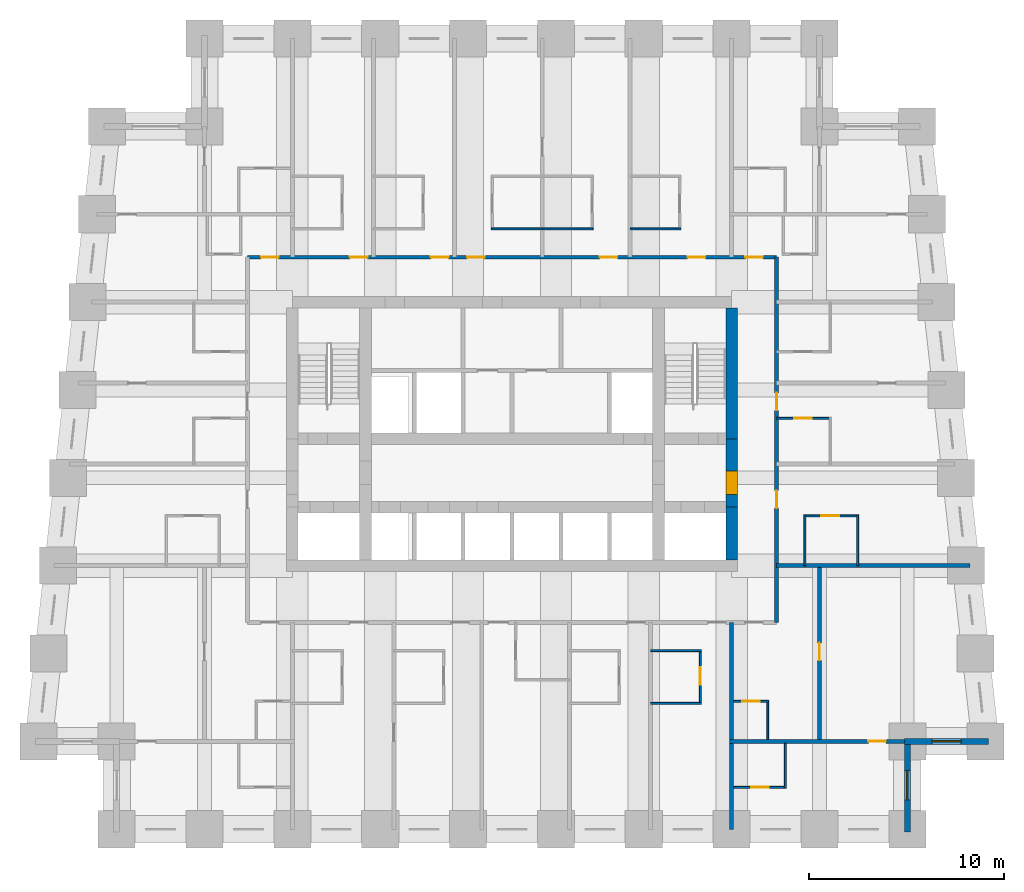
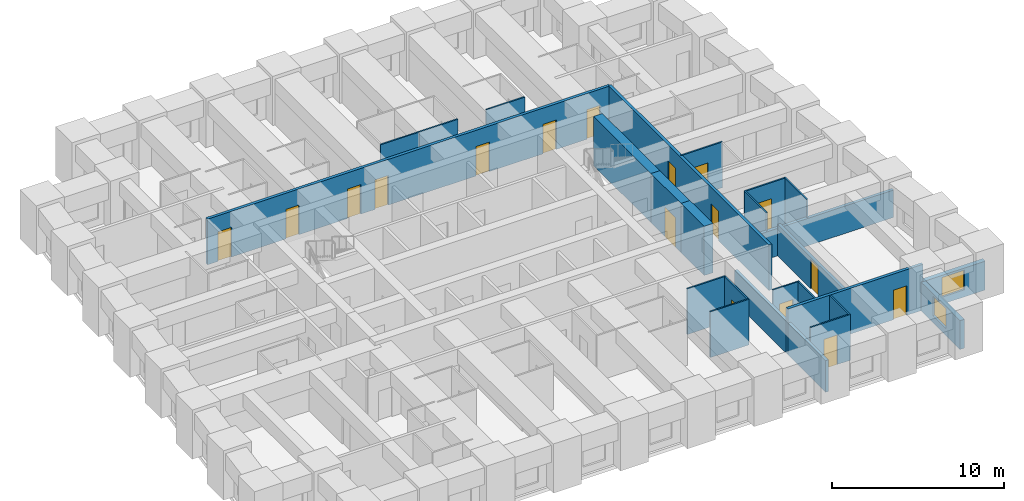
# One storey, part 5 of 8: 25 walls, 17 doors, 2 windows, 19 openings.
"""IFC4 building model written with IfcOpenShell, lengths in metres."""

from ifc_helpers import new_model, si_unit, direction, frame, frame_2d, origin, place, context, subcontext, project, spatial, rectangle, extrude, material, layer, layer_set, type_object, element, fill, save


model = new_model("IFC4")

# Units and contexts
model_context = context("Model", 3, precision=1e-05, world=origin(), true_north=direction((0.0, 1.0)))
body_context = subcontext(model_context, "Body", "Model", "MODEL_VIEW")
ifc_project = project(units=[si_unit("LENGTHUNIT", "METRE"), si_unit("AREAUNIT", "SQUARE_METRE"), si_unit("VOLUMEUNIT", "CUBIC_METRE"), si_unit("PLANEANGLEUNIT", "RADIAN"), si_unit("MASSUNIT", "GRAM", prefix="KILO")], contexts=[model_context])

# Site, building, storey
site_placement = place(None, origin())
site = spatial("IfcSite", under=ifc_project, at=site_placement, CompositionType="ELEMENT")
building_placement = place(site_placement, origin())
building = spatial("IfcBuilding", under=site, at=building_placement, Name="Kilele Tower Hotel", CompositionType="ELEMENT")
storey_placement = place(building_placement, frame((0.0, 0.0, 40.199951171875)))
storey = spatial("IfcBuildingStorey", under=building, at=storey_placement, Name="L08", CompositionType="ELEMENT", Elevation=40.199951171875)

# Walls
ifc_material_1 = material(Name="Moisture-resistant board")
ifc_layer_1 = layer(ifc_material_1, 0.10009765625)
ifc_layer_set_1 = layer_set([ifc_layer_1], Name="Moisture-resistant board")
wall_type_1 = type_object("IfcWallType", Name="Bathroom partition 100", PredefinedType="PLUMBINGWALL", material=ifc_layer_set_1)
for number, where, z_axis, x_axis, name in (
    (1, (31.85009765625, 9.14990234375, 0.0), (0.0, 0.0, 1.0), (1.0, 0.0, 0.0), "Bathroom partition 100 L08"),
    (2, (31.85009765625, 6.449951171875, 0.0), (0.0, 0.0, 1.0), (1.0, 0.0, 0.0), "Bathroom partition 100 L08"),
):
    element("IfcWall", number, at=place(storey_placement, frame(where, z_axis=z_axis, x_axis=x_axis)), inside=storey, type_object=wall_type_1, Name=name, PredefinedType="PLUMBINGWALL", context=body_context, shape_type="SweptSolid", body=[
        extrude(rectangle(XDim=2.599853515625, YDim=0.10009765625, at=frame_2d((1.2998046875, 0.0))), origin(), (0.0, 0.0, 1.0), 3.25),
    ])

# Wall, opening, door
wall_1_placement = place(storey_placement, frame((34.39990234375, 9.199951171875, 0.0), z_axis=(0.0, 0.0, 1.0), x_axis=(0.0, -1.0, 0.0)))
wall_1 = element("IfcWall", 3, at=wall_1_placement, inside=storey, type_object=wall_type_1, Name="Bathroom partition 100 L08", PredefinedType="PLUMBINGWALL", context=body_context, shape_type="SweptSolid", body=[
    extrude(rectangle(XDim=2.800048828125, YDim=0.10009765625, at=frame_2d((1.39990234375, 0.0))), origin(), (0.0, 0.0, 1.0), 3.25),
])
opening_1_placement = place(wall_1_placement, frame((0.89990234375, 0.0, 0.0)))
opening_1 = element("IfcOpeningElement", 4, at=opening_1_placement, cuts=wall_1, Name="Opening D2A", PredefinedType="OPENING", context=body_context, shape_type="SweptSolid", body=[
    extrude(rectangle(XDim=0.89990234375, YDim=2.10009765625, at=frame_2d((0.449951171875, 1.050048828125))), frame((0.0, 0.06005859375, 0.0), z_axis=(0.0, -1.0, 0.0), x_axis=(1.0, 0.0, 0.0)), (0.0, 0.0, 1.0), 0.1201171875),
])
ifc_material_2 = material(Name="Timber door leaf in hardwood frame", Category="wood")
door_type_1 = type_object("IfcDoorType", Name="Bathroom door 900", OperationType="SINGLE_SWING_LEFT", PredefinedType="DOOR", material=ifc_material_2)
door_1_placement = place(opening_1_placement, origin())
door_1 = element("IfcDoor", 5, at=door_1_placement, inside=storey, type_object=door_type_1, Name="Bathroom door 0805B", OperationType="SINGLE_SWING_LEFT", OverallHeight=2.10009765625, OverallWidth=0.89990234375, PredefinedType="DOOR", context=body_context, shape_type="SweptSolid", body=[
    extrude(rectangle(XDim=0.89990234375, YDim=2.10009765625, at=frame_2d((0.449951171875, 1.050048828125))), frame((0.0, 0.02490234375, 0.0), z_axis=(0.0, -1.0, 0.0), x_axis=(1.0, 0.0, 0.0)), (0.0, 0.0, 1.0), 0.050048828125),
])
fill(opening_1, door_1)

# Walls
for number, where, z_axis, x_axis, name in (
    (6, (39.75, 13.5, 0.0), (0.0, 0.0, 1.0), (0.0, 1.0, 0.0), "Bathroom partition 100 L08"),
    (7, (42.449951171875, 13.5, 0.0), (0.0, 0.0, 1.0), (0.0, 1.0, 0.0), "Bathroom partition 100 L08"),
):
    element("IfcWall", number, at=place(storey_placement, frame(where, z_axis=z_axis, x_axis=x_axis)), inside=storey, type_object=wall_type_1, Name=name, PredefinedType="PLUMBINGWALL", context=body_context, shape_type="SweptSolid", body=[
        extrude(rectangle(XDim=2.60009765625, YDim=0.10009765625, at=frame_2d((1.300048828125, 0.0))), origin(), (0.0, 0.0, 1.0), 3.25),
    ])

# Wall, opening, door
wall_2_placement = place(storey_placement, frame((39.699951171875, 16.050048828125, 0.0), z_axis=(0.0, 0.0, 1.0), x_axis=(1.0, 0.0, 0.0)))
wall_2 = element("IfcWall", 8, at=wall_2_placement, inside=storey, type_object=wall_type_1, Name="Bathroom partition 100 L08", PredefinedType="PLUMBINGWALL", context=body_context, shape_type="SweptSolid", body=[
    extrude(rectangle(XDim=2.800048828125, YDim=0.10009765625, at=frame_2d((1.39990234375, 0.0))), origin(), (0.0, 0.0, 1.0), 3.25),
])
opening_2_placement = place(wall_2_placement, frame((0.89990234375, 0.0, 0.0)))
opening_2 = element("IfcOpeningElement", 9, at=opening_2_placement, cuts=wall_2, Name="Opening D2A", PredefinedType="OPENING", context=body_context, shape_type="SweptSolid", body=[
    extrude(rectangle(XDim=0.89990234375, YDim=2.10009765625, at=frame_2d((0.449951171875, 1.050048828125))), frame((0.0, 0.06005859375, 0.0), z_axis=(0.0, -1.0, 0.0), x_axis=(1.0, 0.0, 0.0)), (0.0, 0.0, 1.0), 0.1201171875),
])
door_2_placement = place(opening_2_placement, origin())
door_2 = element("IfcDoor", 10, at=door_2_placement, inside=storey, type_object=door_type_1, Name="Bathroom door 0806B", OperationType="SINGLE_SWING_LEFT", OverallHeight=2.10009765625, OverallWidth=0.89990234375, PredefinedType="DOOR", context=body_context, shape_type="SweptSolid", body=[
    extrude(rectangle(XDim=0.89990234375, YDim=2.10009765625, at=frame_2d((0.449951171875, 1.050048828125))), frame((0.0, 0.02490234375, 0.0), z_axis=(0.0, -1.0, 0.0), x_axis=(1.0, 0.0, 0.0)), (0.0, 0.0, 1.0), 0.050048828125),
])
fill(opening_2, door_2)

wall_3_placement = place(storey_placement, frame((38.300048828125, 21.050048828125, 0.0), z_axis=(0.0, 0.0, 1.0), x_axis=(1.0, 0.0, 0.0)))
wall_3 = element("IfcWall", 11, at=wall_3_placement, inside=storey, type_object=wall_type_1, Name="Bathroom partition 100 L08", PredefinedType="PLUMBINGWALL", context=body_context, shape_type="SweptSolid", body=[
    extrude(rectangle(XDim=2.800048828125, YDim=0.10009765625, at=frame_2d((1.39990234375, 0.0))), origin(), (0.0, 0.0, 1.0), 3.25),
])
opening_3_placement = place(wall_3_placement, frame((0.89990234375, 0.0, 0.0)))
opening_3 = element("IfcOpeningElement", 12, at=opening_3_placement, cuts=wall_3, Name="Opening D2A", PredefinedType="OPENING", context=body_context, shape_type="SweptSolid", body=[
    extrude(rectangle(XDim=0.89990234375, YDim=2.10009765625, at=frame_2d((0.449951171875, 1.050048828125))), frame((0.0, 0.06005859375, 0.0), z_axis=(0.0, -1.0, 0.0), x_axis=(1.0, 0.0, 0.0)), (0.0, 0.0, 1.0), 0.1201171875),
])
door_3_placement = place(opening_3_placement, origin())
door_3 = element("IfcDoor", 13, at=door_3_placement, inside=storey, type_object=door_type_1, Name="Bathroom door 0807B", OperationType="SINGLE_SWING_LEFT", OverallHeight=2.10009765625, OverallWidth=0.89990234375, PredefinedType="DOOR", context=body_context, shape_type="SweptSolid", body=[
    extrude(rectangle(XDim=0.89990234375, YDim=2.10009765625, at=frame_2d((0.449951171875, 1.050048828125))), frame((0.0, 0.02490234375, 0.0), z_axis=(0.0, -1.0, 0.0), x_axis=(1.0, 0.0, 0.0)), (0.0, 0.0, 1.0), 0.050048828125),
])
fill(opening_3, door_3)

# Walls
wall_4_placement = place(storey_placement, frame((23.699951171875, 30.75, 0.0), z_axis=(0.0, 0.0, 1.0), x_axis=(1.0, 0.0, 0.0)))
element("IfcWall", 14, at=wall_4_placement, inside=storey, type_object=wall_type_1, Name="Bathroom partition 100 L08", PredefinedType="PLUMBINGWALL", context=body_context, shape_type="SweptSolid", body=[
    extrude(rectangle(XDim=2.60009765625, YDim=0.10009765625, at=frame_2d((1.300048828125, 0.0))), origin(), (0.0, 0.0, 1.0), 3.25),
])
for number, where, z_axis, x_axis, name in (
    (15, (26.300048828125, 30.75, 0.0), (0.0, 0.0, 1.0), (1.0, 0.0, 0.0), "Bathroom partition 100 L08"),
    (16, (30.800048828125, 30.75, 0.0), (0.0, 0.0, 1.0), (1.0, 0.0, 0.0), "Bathroom partition 100 L08"),
):
    element("IfcWall", number, at=place(storey_placement, frame(where, z_axis=z_axis, x_axis=x_axis)), inside=storey, type_object=wall_type_1, Name=name, PredefinedType="PLUMBINGWALL", context=body_context, shape_type="SweptSolid", body=[
        extrude(rectangle(XDim=2.599853515625, YDim=0.10009765625, at=frame_2d((1.2998046875, 0.0))), origin(), (0.0, 0.0, 1.0), 3.25),
    ])
wall_5_placement = place(storey_placement, frame((37.85009765625, 4.60009765625, 0.0), z_axis=(0.0, 0.0, 1.0), x_axis=(0.0, 1.0, 0.0)))
element("IfcWall", 17, at=wall_5_placement, inside=storey, type_object=wall_type_1, Name="Bathroom partition 100 L08", PredefinedType="PLUMBINGWALL", context=body_context, shape_type="SweptSolid", body=[
    extrude(rectangle(XDim=2.0, YDim=0.10009765625, at=frame_2d((1.0, 0.0))), origin(), (0.0, 0.0, 1.0), 3.25),
])

# Wall, opening, door
wall_6_placement = place(storey_placement, frame((36.10009765625, 6.550048828125, 0.0), z_axis=(0.0, 0.0, 1.0), x_axis=(1.0, 0.0, 0.0)))
wall_6 = element("IfcWall", 18, at=wall_6_placement, inside=storey, type_object=wall_type_1, Name="Bathroom partition 100 L08", PredefinedType="PLUMBINGWALL", context=body_context, shape_type="SweptSolid", body=[
    extrude(rectangle(XDim=1.7998046875, YDim=0.10009765625, at=frame_2d((0.89990234375, 0.0))), origin(), (0.0, 0.0, 1.0), 3.25),
])
opening_4_placement = place(wall_6_placement, frame((0.449951171875, 0.0, 0.0)))
opening_4 = element("IfcOpeningElement", 19, at=opening_4_placement, cuts=wall_6, Name="Opening D2A", PredefinedType="OPENING", context=body_context, shape_type="SweptSolid", body=[
    extrude(rectangle(XDim=0.89990234375, YDim=2.10009765625, at=frame_2d((0.449951171875, 1.050048828125))), frame((0.0, 0.06005859375, 0.0), z_axis=(0.0, -1.0, 0.0), x_axis=(1.0, 0.0, 0.0)), (0.0, 0.0, 1.0), 0.1201171875),
])
door_4_placement = place(opening_4_placement, origin())
door_4 = element("IfcDoor", 20, at=door_4_placement, inside=storey, type_object=door_type_1, Name="Bathroom door 0820P", OperationType="SINGLE_SWING_LEFT", OverallHeight=2.10009765625, OverallWidth=0.89990234375, PredefinedType="DOOR", context=body_context, shape_type="SweptSolid", body=[
    extrude(rectangle(XDim=0.89990234375, YDim=2.10009765625, at=frame_2d((0.449951171875, 1.050048828125))), frame((0.0, 0.02490234375, 0.0), z_axis=(0.0, -1.0, 0.0), x_axis=(1.0, 0.0, 0.0)), (0.0, 0.0, 1.0), 0.050048828125),
])
fill(opening_4, door_4)

# Wall
wall_7_placement = place(storey_placement, frame((38.75, 4.39990234375, 0.0), z_axis=(0.0, 0.0, 1.0), x_axis=(0.0, -1.0, 0.0)))
element("IfcWall", 21, at=wall_7_placement, inside=storey, type_object=wall_type_1, Name="Bathroom partition 100 L08", PredefinedType="PLUMBINGWALL", context=body_context, shape_type="SweptSolid", body=[
    extrude(rectangle(XDim=2.2998046875, YDim=0.10009765625, at=frame_2d((1.14990234375, 0.0))), origin(), (0.0, 0.0, 1.0), 3.25),
])

# Wall, opening, door
wall_8_placement = place(storey_placement, frame((36.10009765625, 2.14990234375, 0.0), z_axis=(0.0, 0.0, 1.0), x_axis=(1.0, 0.0, 0.0)))
wall_8 = element("IfcWall", 22, at=wall_8_placement, inside=storey, type_object=wall_type_1, Name="Bathroom partition 100 L08", PredefinedType="PLUMBINGWALL", context=body_context, shape_type="SweptSolid", body=[
    extrude(rectangle(XDim=2.699951171875, YDim=0.10009765625, at=frame_2d((1.35009765625, 0.0))), origin(), (0.0, 0.0, 1.0), 3.25),
])
opening_5_placement = place(wall_8_placement, frame((1.7998046875, 0.0, 0.0), z_axis=(0.0, 0.0, 1.0), x_axis=(-1.0, 0.0, 0.0)))
opening_5 = element("IfcOpeningElement", 23, at=opening_5_placement, cuts=wall_8, Name="Opening D2A", PredefinedType="OPENING", context=body_context, shape_type="SweptSolid", body=[
    extrude(rectangle(XDim=0.89990234375, YDim=2.10009765625, at=frame_2d((0.449951171875, 1.050048828125))), frame((0.0, 0.06005859375, 0.0), z_axis=(0.0, -1.0, 0.0), x_axis=(1.0, 0.0, 0.0)), (0.0, 0.0, 1.0), 0.1201171875),
])
door_5_placement = place(opening_5_placement, origin())
door_5 = element("IfcDoor", 24, at=door_5_placement, inside=storey, type_object=door_type_1, Name="Bathroom door 0822B", OperationType="SINGLE_SWING_RIGHT", OverallHeight=2.10009765625, OverallWidth=0.89990234375, PredefinedType="DOOR", context=body_context, shape_type="SweptSolid", body=[
    extrude(rectangle(XDim=0.89990234375, YDim=2.10009765625, at=frame_2d((0.449951171875, 1.050048828125))), frame((0.0, 0.02490234375, 0.0), z_axis=(0.0, -1.0, 0.0), x_axis=(1.0, 0.0, 0.0)), (0.0, 0.0, 1.0), 0.050048828125),
])
fill(opening_5, door_5)

# Wall
ifc_material_3 = material(Name="Concrete C60/75", Category="concrete")
ifc_layer_2 = layer(ifc_material_3, 0.60009765625)
ifc_layer_set_2 = layer_set([ifc_layer_2], Name="Concrete C60/75")
wall_type_2 = type_object("IfcWallType", Name="Core wall 600 C60/75", PredefinedType="SHEAR", material=ifc_layer_set_2)
wall_9_placement = place(storey_placement, frame((36.0, 13.800048828125, 0.0), z_axis=(0.0, 0.0, 1.0), x_axis=(0.0, 1.0, 0.0)))
element("IfcWall", 25, at=wall_9_placement, inside=storey, type_object=wall_type_2, Name="Core wall E1 L08", PredefinedType="SHEAR", context=body_context, shape_type="SweptSolid", body=[
    extrude(rectangle(XDim=2.699951171875, YDim=0.60009765625, at=frame_2d((1.35009765625, 0.0))), origin(), (0.0, 0.0, 1.0), 3.5),
])

# Wall, opening, door
wall_10_placement = place(storey_placement, frame((36.0, 16.5, 0.0), z_axis=(0.0, 0.0, 1.0), x_axis=(0.0, 1.0, 0.0)))
wall_10 = element("IfcWall", 26, at=wall_10_placement, inside=storey, type_object=wall_type_2, Name="Core wall E2 L08", PredefinedType="SHEAR", context=body_context, shape_type="SweptSolid", body=[
    extrude(rectangle(XDim=3.5, YDim=0.60009765625, at=frame_2d((1.75, 0.0))), origin(), (0.0, 0.0, 1.0), 3.5),
])
opening_6_placement = place(wall_10_placement, frame((0.64990234375, 0.0, 0.0)))
opening_6 = element("IfcOpeningElement", 27, at=opening_6_placement, cuts=wall_10, Name="Opening D4", PredefinedType="OPENING", context=body_context, shape_type="SweptSolid", body=[
    extrude(rectangle(XDim=1.199951171875, YDim=2.10009765625, at=frame_2d((0.60009765625, 1.050048828125))), frame((0.0, 0.31005859375, 0.0), z_axis=(0.0, -1.0, 0.0), x_axis=(1.0, 0.0, 0.0)), (0.0, 0.0, 1.0), 0.6201171875),
])
ifc_material_4 = material(Name="Timber door leaf in hardwood frame", Category="wood")
door_type_2 = type_object("IfcDoorType", Name="Firefighting lobby door 1200", OperationType="SINGLE_SWING_LEFT", PredefinedType="DOOR", material=ifc_material_4)
door_6_placement = place(opening_6_placement, origin())
door_6 = element("IfcDoor", 28, at=door_6_placement, inside=storey, type_object=door_type_2, Name="Lobby door L08", OperationType="SINGLE_SWING_LEFT", OverallHeight=2.10009765625, OverallWidth=1.199951171875, PredefinedType="DOOR", context=body_context, shape_type="SweptSolid", body=[
    extrude(rectangle(XDim=1.199951171875, YDim=2.10009765625, at=frame_2d((0.60009765625, 1.050048828125))), frame((0.0, 0.2998046875, 0.0), z_axis=(0.0, -1.0, 0.0), x_axis=(1.0, 0.0, 0.0)), (0.0, 0.0, 1.0), 0.599609375),
])
fill(opening_6, door_6)

# Wall
wall_11_placement = place(storey_placement, frame((36.0, 20.0, 0.0), z_axis=(0.0, 0.0, 1.0), x_axis=(0.0, 1.0, 0.0)))
element("IfcWall", 29, at=wall_11_placement, inside=storey, type_object=wall_type_2, Name="Core wall E3 L08", PredefinedType="SHEAR", context=body_context, shape_type="SweptSolid", body=[
    extrude(rectangle(XDim=6.699951171875, YDim=0.60009765625, at=frame_2d((3.35009765625, 0.0))), origin(), (0.0, 0.0, 1.0), 3.5),
])

# Wall, openings, doors
ifc_material_5 = material(Name="Blockwork, plastered both sides", Category="masonry")
ifc_layer_3 = layer(ifc_material_5, 0.199951171875)
ifc_layer_set_3 = layer_set([ifc_layer_3], Name="Blockwork, plastered both sides")
wall_type_3 = type_object("IfcWallType", Name="Corridor wall 200", PredefinedType="PARTITIONING", material=ifc_layer_set_3)
wall_12_placement = place(storey_placement, frame((11.199951171875, 29.300048828125, 0.0), z_axis=(0.0, 0.0, 1.0), x_axis=(1.0, 0.0, 0.0)))
wall_12 = element("IfcWall", 30, at=wall_12_placement, inside=storey, type_object=wall_type_3, Name="Corridor wall 200 L08", PredefinedType="PARTITIONING", context=body_context, shape_type="SweptSolid", body=[
    extrude(rectangle(XDim=27.10009765625, YDim=0.199951171875, at=frame_2d((13.550048828125, 0.0))), origin(), (0.0, 0.0, 1.0), 3.25),
])
opening_7_placement = place(wall_12_placement, frame((5.25, 0.0, 0.0)))
opening_7 = element("IfcOpeningElement", 31, at=opening_7_placement, cuts=wall_12, Name="Opening D1", PredefinedType="OPENING", context=body_context, shape_type="SweptSolid", body=[
    extrude(rectangle(XDim=0.89990234375, YDim=2.10009765625, at=frame_2d((0.449951171875, 1.050048828125))), frame((0.0, 0.10986328125, 0.0), z_axis=(0.0, -1.0, 0.0), x_axis=(1.0, 0.0, 0.0)), (0.0, 0.0, 1.0), 0.219970703125),
])
opening_8_placement = place(wall_12_placement, frame((9.39990234375, 0.0, 0.0)))
opening_8 = element("IfcOpeningElement", 32, at=opening_8_placement, cuts=wall_12, Name="Opening D1", PredefinedType="OPENING", context=body_context, shape_type="SweptSolid", body=[
    extrude(rectangle(XDim=0.89990234375, YDim=2.10009765625, at=frame_2d((0.449951171875, 1.050048828125))), frame((0.0, 0.10986328125, 0.0), z_axis=(0.0, -1.0, 0.0), x_axis=(1.0, 0.0, 0.0)), (0.0, 0.0, 1.0), 0.219970703125),
])
opening_9_placement = place(wall_12_placement, frame((11.25, 0.0, 0.0)))
opening_9 = element("IfcOpeningElement", 33, at=opening_9_placement, cuts=wall_12, Name="Opening D1", PredefinedType="OPENING", context=body_context, shape_type="SweptSolid", body=[
    extrude(rectangle(XDim=0.89990234375, YDim=2.10009765625, at=frame_2d((0.449951171875, 1.050048828125))), frame((0.0, 0.10986328125, 0.0), z_axis=(0.0, -1.0, 0.0), x_axis=(1.0, 0.0, 0.0)), (0.0, 0.0, 1.0), 0.219970703125),
])
opening_10_placement = place(wall_12_placement, frame((18.050048828125, 0.0, 0.0)))
opening_10 = element("IfcOpeningElement", 34, at=opening_10_placement, cuts=wall_12, Name="Opening D1", PredefinedType="OPENING", context=body_context, shape_type="SweptSolid", body=[
    extrude(rectangle(XDim=0.89990234375, YDim=2.10009765625, at=frame_2d((0.449951171875, 1.050048828125))), frame((0.0, 0.10986328125, 0.0), z_axis=(0.0, -1.0, 0.0), x_axis=(1.0, 0.0, 0.0)), (0.0, 0.0, 1.0), 0.219970703125),
])
opening_11_placement = place(wall_12_placement, frame((22.550048828125, 0.0, 0.0)))
opening_11 = element("IfcOpeningElement", 35, at=opening_11_placement, cuts=wall_12, Name="Opening D1", PredefinedType="OPENING", context=body_context, shape_type="SweptSolid", body=[
    extrude(rectangle(XDim=0.89990234375, YDim=2.10009765625, at=frame_2d((0.449951171875, 1.050048828125))), frame((0.0, 0.10986328125, 0.0), z_axis=(0.0, -1.0, 0.0), x_axis=(1.0, 0.0, 0.0)), (0.0, 0.0, 1.0), 0.219970703125),
])
opening_12_placement = place(wall_12_placement, frame((25.5, 0.0, 0.0)))
opening_12 = element("IfcOpeningElement", 36, at=opening_12_placement, cuts=wall_12, Name="Opening D1", PredefinedType="OPENING", context=body_context, shape_type="SweptSolid", body=[
    extrude(rectangle(XDim=0.89990234375, YDim=2.10009765625, at=frame_2d((0.449951171875, 1.050048828125))), frame((0.0, 0.10986328125, 0.0), z_axis=(0.0, -1.0, 0.0), x_axis=(1.0, 0.0, 0.0)), (0.0, 0.0, 1.0), 0.219970703125),
])
opening_13_placement = place(wall_12_placement, frame((0.699951171875, 0.0, 0.0)))
opening_13 = element("IfcOpeningElement", 37, at=opening_13_placement, cuts=wall_12, Name="Opening D1", PredefinedType="OPENING", context=body_context, shape_type="SweptSolid", body=[
    extrude(rectangle(XDim=0.89990234375, YDim=2.10009765625, at=frame_2d((0.449951171875, 1.050048828125))), frame((0.0, 0.10986328125, 0.0), z_axis=(0.0, -1.0, 0.0), x_axis=(1.0, 0.0, 0.0)), (0.0, 0.0, 1.0), 0.219970703125),
])
ifc_material_6 = material(Name="Timber door leaf in hardwood frame", Category="wood")
door_type_3 = type_object("IfcDoorType", Name="Guest room entrance door 900", OperationType="SINGLE_SWING_LEFT", PredefinedType="DOOR", material=ifc_material_6)
door_7_placement = place(opening_7_placement, origin())
door_7 = element("IfcDoor", 38, at=door_7_placement, inside=storey, type_object=door_type_3, Name="Room entrance 0809", OperationType="SINGLE_SWING_RIGHT", OverallHeight=2.10009765625, OverallWidth=0.89990234375, PredefinedType="DOOR", context=body_context, shape_type="SweptSolid", body=[
    extrude(rectangle(XDim=0.89990234375, YDim=2.10009765625, at=frame_2d((0.449951171875, 1.050048828125))), frame((0.0, 0.02490234375, 0.0), z_axis=(0.0, -1.0, 0.0), x_axis=(1.0, 0.0, 0.0)), (0.0, 0.0, 1.0), 0.050048828125),
])
fill(opening_7, door_7)
door_8_placement = place(opening_8_placement, origin())
door_8 = element("IfcDoor", 39, at=door_8_placement, inside=storey, type_object=door_type_3, Name="Room entrance 0810", OperationType="SINGLE_SWING_RIGHT", OverallHeight=2.10009765625, OverallWidth=0.89990234375, PredefinedType="DOOR", context=body_context, shape_type="SweptSolid", body=[
    extrude(rectangle(XDim=0.89990234375, YDim=2.10009765625, at=frame_2d((0.449951171875, 1.050048828125))), frame((0.0, 0.02490234375, 0.0), z_axis=(0.0, -1.0, 0.0), x_axis=(1.0, 0.0, 0.0)), (0.0, 0.0, 1.0), 0.050048828125),
])
fill(opening_8, door_8)
door_9_placement = place(opening_9_placement, origin())
door_9 = element("IfcDoor", 40, at=door_9_placement, inside=storey, type_object=door_type_3, Name="Room entrance 0811", OperationType="SINGLE_SWING_LEFT", OverallHeight=2.10009765625, OverallWidth=0.89990234375, PredefinedType="DOOR", context=body_context, shape_type="SweptSolid", body=[
    extrude(rectangle(XDim=0.89990234375, YDim=2.10009765625, at=frame_2d((0.449951171875, 1.050048828125))), frame((0.0, 0.02490234375, 0.0), z_axis=(0.0, -1.0, 0.0), x_axis=(1.0, 0.0, 0.0)), (0.0, 0.0, 1.0), 0.050048828125),
])
fill(opening_9, door_9)
door_10_placement = place(opening_10_placement, origin())
door_10 = element("IfcDoor", 41, at=door_10_placement, inside=storey, type_object=door_type_3, Name="Room entrance 0812", OperationType="SINGLE_SWING_RIGHT", OverallHeight=2.10009765625, OverallWidth=0.89990234375, PredefinedType="DOOR", context=body_context, shape_type="SweptSolid", body=[
    extrude(rectangle(XDim=0.89990234375, YDim=2.10009765625, at=frame_2d((0.449951171875, 1.050048828125))), frame((0.0, 0.02490234375, 0.0), z_axis=(0.0, -1.0, 0.0), x_axis=(1.0, 0.0, 0.0)), (0.0, 0.0, 1.0), 0.050048828125),
])
fill(opening_10, door_10)
door_11_placement = place(opening_11_placement, origin())
door_11 = element("IfcDoor", 42, at=door_11_placement, inside=storey, type_object=door_type_3, Name="Room entrance 0813", OperationType="SINGLE_SWING_RIGHT", OverallHeight=2.10009765625, OverallWidth=0.89990234375, PredefinedType="DOOR", context=body_context, shape_type="SweptSolid", body=[
    extrude(rectangle(XDim=0.89990234375, YDim=2.10009765625, at=frame_2d((0.449951171875, 1.050048828125))), frame((0.0, 0.02490234375, 0.0), z_axis=(0.0, -1.0, 0.0), x_axis=(1.0, 0.0, 0.0)), (0.0, 0.0, 1.0), 0.050048828125),
])
fill(opening_11, door_11)
door_12_placement = place(opening_12_placement, origin())
door_12 = element("IfcDoor", 43, at=door_12_placement, inside=storey, type_object=door_type_3, Name="Room entrance 0823", OperationType="SINGLE_SWING_LEFT", OverallHeight=2.10009765625, OverallWidth=0.89990234375, PredefinedType="DOOR", context=body_context, shape_type="SweptSolid", body=[
    extrude(rectangle(XDim=0.89990234375, YDim=2.10009765625, at=frame_2d((0.449951171875, 1.050048828125))), frame((0.0, 0.02490234375, 0.0), z_axis=(0.0, -1.0, 0.0), x_axis=(1.0, 0.0, 0.0)), (0.0, 0.0, 1.0), 0.050048828125),
])
fill(opening_12, door_12)
door_13_placement = place(opening_13_placement, origin())
door_13 = element("IfcDoor", 44, at=door_13_placement, inside=storey, type_object=door_type_3, Name="Room entrance 0826", OperationType="SINGLE_SWING_RIGHT", OverallHeight=2.10009765625, OverallWidth=0.89990234375, PredefinedType="DOOR", context=body_context, shape_type="SweptSolid", body=[
    extrude(rectangle(XDim=0.89990234375, YDim=2.10009765625, at=frame_2d((0.449951171875, 1.050048828125))), frame((0.0, 0.02490234375, 0.0), z_axis=(0.0, -1.0, 0.0), x_axis=(1.0, 0.0, 0.0)), (0.0, 0.0, 1.0), 0.050048828125),
])
fill(opening_13, door_13)

wall_13_placement = place(storey_placement, frame((38.300048828125, 10.60009765625, 0.0), z_axis=(0.0, 0.0, 1.0), x_axis=(0.0, 1.0, 0.0)))
wall_13 = element("IfcWall", 45, at=wall_13_placement, inside=storey, type_object=wall_type_3, Name="Corridor wall 200 L08", PredefinedType="PARTITIONING", context=body_context, shape_type="SweptSolid", body=[
    extrude(rectangle(XDim=18.699951171875, YDim=0.199951171875, at=frame_2d((9.35009765625, 0.0))), origin(), (0.0, 0.0, 1.0), 3.25),
])
opening_14_placement = place(wall_13_placement, frame((6.75, 0.0, 0.0), z_axis=(0.0, 0.0, 1.0), x_axis=(-1.0, 0.0, 0.0)))
opening_14 = element("IfcOpeningElement", 46, at=opening_14_placement, cuts=wall_13, Name="Opening D1", PredefinedType="OPENING", context=body_context, shape_type="SweptSolid", body=[
    extrude(rectangle(XDim=0.89990234375, YDim=2.10009765625, at=frame_2d((0.449951171875, 1.050048828125))), frame((0.0, 0.10986328125, 0.0), z_axis=(0.0, -1.0, 0.0), x_axis=(1.0, 0.0, 0.0)), (0.0, 0.0, 1.0), 0.219970703125),
])
opening_15_placement = place(wall_13_placement, frame((11.75, 0.0, 0.0), z_axis=(0.0, 0.0, 1.0), x_axis=(-1.0, 0.0, 0.0)))
opening_15 = element("IfcOpeningElement", 47, at=opening_15_placement, cuts=wall_13, Name="Opening D1", PredefinedType="OPENING", context=body_context, shape_type="SweptSolid", body=[
    extrude(rectangle(XDim=0.89990234375, YDim=2.10009765625, at=frame_2d((0.449951171875, 1.050048828125))), frame((0.0, 0.10986328125, 0.0), z_axis=(0.0, -1.0, 0.0), x_axis=(1.0, 0.0, 0.0)), (0.0, 0.0, 1.0), 0.219970703125),
])
door_14_placement = place(opening_14_placement, origin())
door_14 = element("IfcDoor", 48, at=door_14_placement, inside=storey, type_object=door_type_3, Name="Room entrance 0806", OperationType="SINGLE_SWING_LEFT", OverallHeight=2.10009765625, OverallWidth=0.89990234375, PredefinedType="DOOR", context=body_context, shape_type="SweptSolid", body=[
    extrude(rectangle(XDim=0.89990234375, YDim=2.10009765625, at=frame_2d((0.449951171875, 1.050048828125))), frame((0.0, 0.02490234375, 0.0), z_axis=(0.0, -1.0, 0.0), x_axis=(1.0, 0.0, 0.0)), (0.0, 0.0, 1.0), 0.050048828125),
])
fill(opening_14, door_14)
door_15_placement = place(opening_15_placement, origin())
door_15 = element("IfcDoor", 49, at=door_15_placement, inside=storey, type_object=door_type_3, Name="Room entrance 0807", OperationType="SINGLE_SWING_LEFT", OverallHeight=2.10009765625, OverallWidth=0.89990234375, PredefinedType="DOOR", context=body_context, shape_type="SweptSolid", body=[
    extrude(rectangle(XDim=0.89990234375, YDim=2.10009765625, at=frame_2d((0.449951171875, 1.050048828125))), frame((0.0, 0.02490234375, 0.0), z_axis=(0.0, -1.0, 0.0), x_axis=(1.0, 0.0, 0.0)), (0.0, 0.0, 1.0), 0.050048828125),
])
fill(opening_15, door_15)

# Wall, opening, door
ifc_material_7 = material(Name="Blockwork, plastered both sides", Category="masonry")
ifc_layer_4 = layer(ifc_material_7, 0.199951171875)
ifc_layer_set_4 = layer_set([ifc_layer_4], Name="Blockwork, plastered both sides")
wall_type_4 = type_object("IfcWallType", Name="Partition wall 200", PredefinedType="PARTITIONING", material=ifc_layer_set_4)
wall_14_placement = place(storey_placement, frame((40.5, 4.60009765625, 0.0), z_axis=(0.0, 0.0, 1.0), x_axis=(0.0, 1.0, 0.0)))
wall_14 = element("IfcWall", 50, at=wall_14_placement, inside=storey, type_object=wall_type_4, Name="Partition wall 200 L08", PredefinedType="PARTITIONING", context=body_context, shape_type="SweptSolid", body=[
    extrude(rectangle(XDim=8.7998046875, YDim=0.199951171875, at=frame_2d((4.39990234375, 0.0))), origin(), (0.0, 0.0, 1.0), 2.25),
])
opening_16_placement = place(wall_14_placement, frame((4.050048828125, 0.0, 0.0)))
opening_16 = element("IfcOpeningElement", 51, at=opening_16_placement, cuts=wall_14, Name="Opening D3", PredefinedType="OPENING", context=body_context, shape_type="SweptSolid", body=[
    extrude(rectangle(XDim=0.89990234375, YDim=2.10009765625, at=frame_2d((0.449951171875, 1.050048828125))), frame((0.0, 0.10986328125, 0.0), z_axis=(0.0, -1.0, 0.0), x_axis=(1.0, 0.0, 0.0)), (0.0, 0.0, 1.0), 0.219970703125),
])
ifc_material_8 = material(Name="Timber door leaf in hardwood frame", Category="wood")
door_type_4 = type_object("IfcDoorType", Name="Suite internal door 900", OperationType="SINGLE_SWING_LEFT", PredefinedType="DOOR", material=ifc_material_8)
door_16_placement = place(opening_16_placement, origin())
door_16 = element("IfcDoor", 52, at=door_16_placement, inside=storey, type_object=door_type_4, Name="Suite door 0821", OperationType="SINGLE_SWING_RIGHT", OverallHeight=2.10009765625, OverallWidth=0.89990234375, PredefinedType="DOOR", context=body_context, shape_type="SweptSolid", body=[
    extrude(rectangle(XDim=0.89990234375, YDim=2.10009765625, at=frame_2d((0.449951171875, 1.050048828125))), frame((0.0, 0.02490234375, 0.0), z_axis=(0.0, -1.0, 0.0), x_axis=(1.0, 0.0, 0.0)), (0.0, 0.0, 1.0), 0.050048828125),
])
fill(opening_16, door_16)

# Walls
ifc_material_9 = material(Name="Blockwork, plastered both sides", Category="masonry")
ifc_layer_5 = layer(ifc_material_9, 0.199951171875)
ifc_layer_set_5 = layer_set([ifc_layer_5], Name="Blockwork, plastered both sides")
wall_type_5 = type_object("IfcWallType", Name="Party wall 200", PredefinedType="PARTITIONING", material=ifc_layer_set_5)
wall_15_placement = place(storey_placement, frame((38.300048828125, 13.5, 0.0), z_axis=(0.0, 0.0, 1.0), x_axis=(1.0, 0.0, 0.0)))
element("IfcWall", 53, at=wall_15_placement, inside=storey, type_object=wall_type_5, Name="Party wall 200 L08", PredefinedType="PARTITIONING", context=body_context, shape_type="SweptSolid", body=[
    extrude(rectangle(XDim=9.921142578125, YDim=0.199951171875, at=frame_2d((4.96044921875, 0.0))), origin(), (0.0, 0.0, 1.0), 1.949951171875),
])
wall_16_placement = place(storey_placement, frame((36.0, 10.60009765625, 0.0), z_axis=(0.0, 0.0, 1.0), x_axis=(0.0, -1.0, 0.0)))
element("IfcWall", 54, at=wall_16_placement, inside=storey, type_object=wall_type_5, Name="Party wall 200 L08", PredefinedType="PARTITIONING", context=body_context, shape_type="SweptSolid", body=[
    extrude(rectangle(XDim=10.60009765625, YDim=0.199951171875, at=frame_2d((5.300048828125, 0.0))), origin(), (0.0, 0.0, 1.0), 2.25),
])

# Wall, opening, door
wall_17_placement = place(storey_placement, frame((35.89990234375, 4.5, 0.0), z_axis=(0.0, 0.0, 1.0), x_axis=(1.0, 0.0, 0.0)))
wall_17 = element("IfcWall", 55, at=wall_17_placement, inside=storey, type_object=wall_type_5, Name="Party wall 200 L08", PredefinedType="PARTITIONING", context=body_context, shape_type="SweptSolid", body=[
    extrude(rectangle(XDim=9.10009765625, YDim=0.199951171875, at=frame_2d((4.550048828125, 0.0))), origin(), (0.0, 0.0, 1.0), 3.25),
])
opening_17_placement = place(wall_17_placement, frame((7.10009765625, 0.0, 0.0)))
opening_17 = element("IfcOpeningElement", 56, at=opening_17_placement, cuts=wall_17, Name="Opening D3", PredefinedType="OPENING", context=body_context, shape_type="SweptSolid", body=[
    extrude(rectangle(XDim=0.89990234375, YDim=2.10009765625, at=frame_2d((0.449951171875, 1.050048828125))), frame((0.0, 0.10986328125, 0.0), z_axis=(0.0, -1.0, 0.0), x_axis=(1.0, 0.0, 0.0)), (0.0, 0.0, 1.0), 0.219970703125),
])
door_17_placement = place(opening_17_placement, origin())
door_17 = element("IfcDoor", 57, at=door_17_placement, inside=storey, type_object=door_type_4, Name="Suite door 0822", OperationType="SINGLE_SWING_RIGHT", OverallHeight=2.10009765625, OverallWidth=0.89990234375, PredefinedType="DOOR", context=body_context, shape_type="SweptSolid", body=[
    extrude(rectangle(XDim=0.89990234375, YDim=2.10009765625, at=frame_2d((0.449951171875, 1.050048828125))), frame((0.0, 0.02490234375, 0.0), z_axis=(0.0, -1.0, 0.0), x_axis=(1.0, 0.0, 0.0)), (0.0, 0.0, 1.0), 0.050048828125),
])
fill(opening_17, door_17)

# Wall, opening, window
ifc_material_10 = material(Name="Concrete C40/50 precast", Category="concrete")
ifc_layer_6 = layer(ifc_material_10, 0.260009765625, Name="Precast backing", Category="LoadBearing")
ifc_material_11 = material(Name="Reconstituted stone finish", Category="masonry")
ifc_layer_7 = layer(ifc_material_11, 0.0400390625, Name="Face mix", Category="Finish")
ifc_layer_set_6 = layer_set([ifc_layer_6, ifc_layer_7], Name="Precast concrete C40/50, reconstituted stone finish")
wall_type_6 = type_object("IfcWallType", Name="Precast stone facade wall 300", PredefinedType="STANDARD", material=ifc_layer_set_6)
wall_18_placement = place(storey_placement, frame((45.0, -0.14990234375, 0.0), z_axis=(0.0, 0.0, 1.0), x_axis=(0.0, 1.0, 0.0)))
wall_18 = element("IfcWall", 58, at=wall_18_placement, inside=storey, type_object=wall_type_6, Name="Facade wall L08 edge 4", PredefinedType="STANDARD", context=body_context, shape_type="SweptSolid", body=[
    extrude(rectangle(XDim=4.7998046875, YDim=0.300048828125, at=frame_2d((2.39990234375, 0.0))), origin(), (0.0, 0.0, 1.0), 2.050048828125),
])
opening_18_placement = place(wall_18_placement, frame((1.64990234375, 0.0, 0.5)))
opening_18 = element("IfcOpeningElement", 59, at=opening_18_placement, cuts=wall_18, Name="Opening W1", PredefinedType="OPENING", context=body_context, shape_type="SweptSolid", body=[
    extrude(rectangle(XDim=1.5, YDim=1.39990234375, at=frame_2d((0.75, 0.699951171875))), frame((0.0, 0.159912109375, 0.0), z_axis=(0.0, -1.0, 0.0), x_axis=(1.0, 0.0, 0.0)), (0.0, 0.0, 1.0), 0.320068359375),
])
ifc_material_12 = material(Name="Aluminium frame, clear double glazing", Category="aluminium")
window_type = type_object("IfcWindowType", Name="Window W1 1500 x 1400", PartitioningType="SINGLE_PANEL", PredefinedType="WINDOW", material=ifc_material_12)
window_1_placement = place(opening_18_placement, origin())
window_1 = element("IfcWindow", 60, at=window_1_placement, inside=storey, type_object=window_type, Name="Window L08", OverallHeight=1.39990234375, OverallWidth=1.5, PartitioningType="SINGLE_PANEL", PredefinedType="WINDOW", context=body_context, shape_type="SweptSolid", body=[
    extrude(rectangle(XDim=1.5, YDim=1.39990234375, at=frame_2d((0.75, 0.699951171875))), frame((0.0, 0.030029296875, 0.0), z_axis=(0.0, -1.0, 0.0), x_axis=(1.0, 0.0, 0.0)), (0.0, 0.0, 1.0), 0.06005859375),
])
fill(opening_18, window_1)

wall_19_placement = place(storey_placement, frame((44.85009765625, 4.5, 0.0), z_axis=(0.0, 0.0, 1.0), x_axis=(1.0, 0.0, 0.0)))
wall_19 = element("IfcWall", 61, at=wall_19_placement, inside=storey, type_object=wall_type_6, Name="Facade wall L08 edge 5", PredefinedType="STANDARD", context=body_context, shape_type="SweptSolid", body=[
    extrude(rectangle(XDim=4.2998046875, YDim=0.300048828125, at=frame_2d((2.14990234375, 0.0))), origin(), (0.0, 0.0, 1.0), 2.050048828125),
])
opening_19_placement = place(wall_19_placement, frame((1.39990234375, 0.0, 0.5)))
opening_19 = element("IfcOpeningElement", 62, at=opening_19_placement, cuts=wall_19, Name="Opening W1", PredefinedType="OPENING", context=body_context, shape_type="SweptSolid", body=[
    extrude(rectangle(XDim=1.5, YDim=1.39990234375, at=frame_2d((0.75, 0.699951171875))), frame((0.0, 0.159912109375, 0.0), z_axis=(0.0, -1.0, 0.0), x_axis=(1.0, 0.0, 0.0)), (0.0, 0.0, 1.0), 0.320068359375),
])
window_2_placement = place(opening_19_placement, origin())
window_2 = element("IfcWindow", 63, at=window_2_placement, inside=storey, type_object=window_type, Name="Window L08", OverallHeight=1.39990234375, OverallWidth=1.5, PartitioningType="SINGLE_PANEL", PredefinedType="WINDOW", context=body_context, shape_type="SweptSolid", body=[
    extrude(rectangle(XDim=1.5, YDim=1.39990234375, at=frame_2d((0.75, 0.699951171875))), frame((0.0, 0.030029296875, 0.0), z_axis=(0.0, -1.0, 0.0), x_axis=(1.0, 0.0, 0.0)), (0.0, 0.0, 1.0), 0.06005859375),
])
fill(opening_19, window_2)

save(model, "model.ifc")
